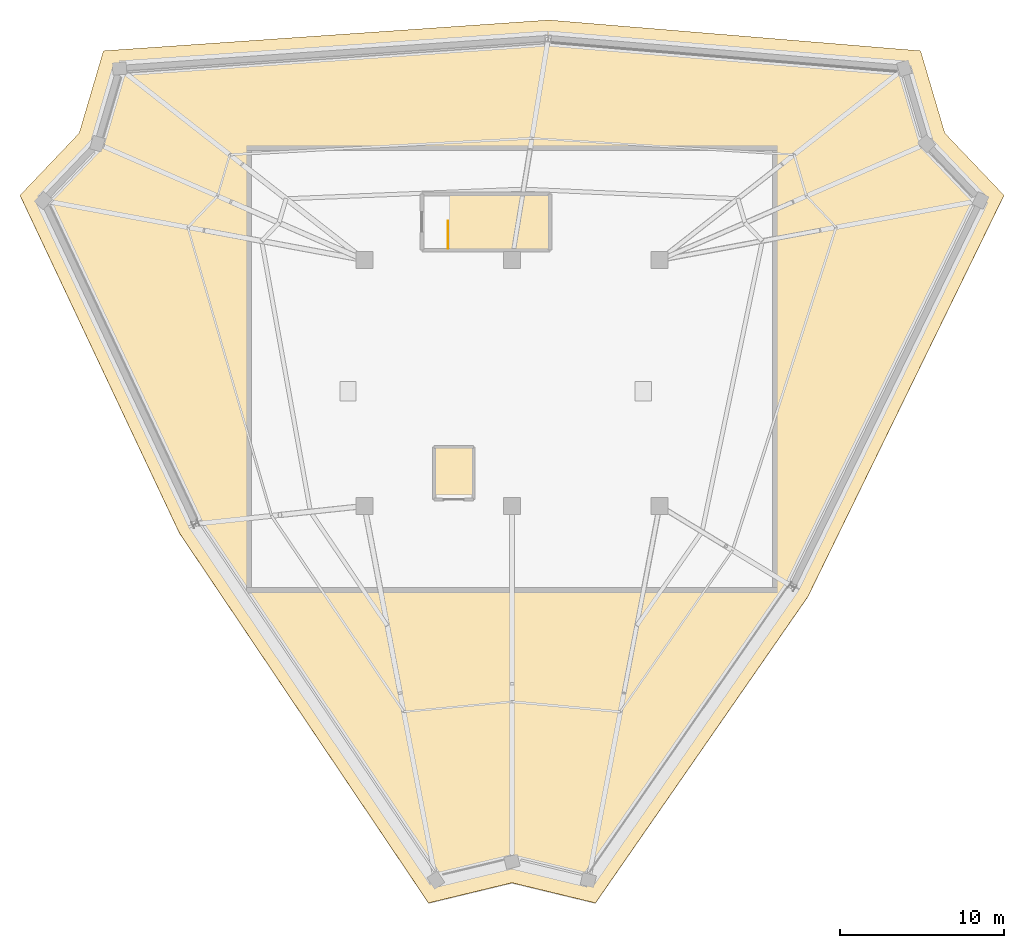
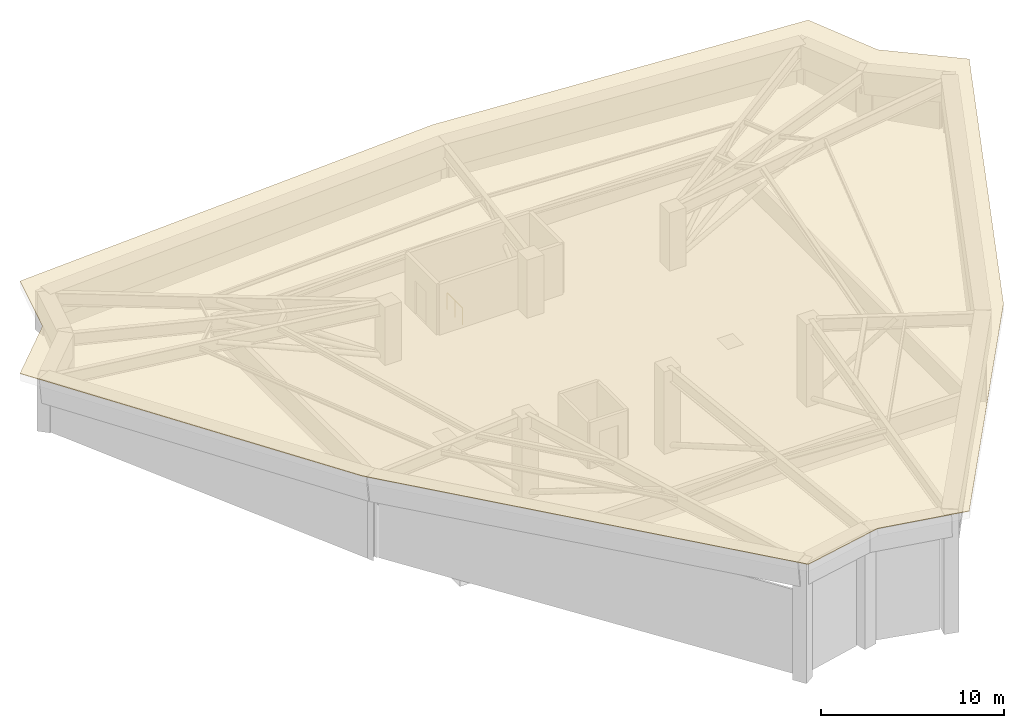
# One storey, part 6 of 6: 1 covering, 1 railing.
"""IFC4 building model written with IfcOpenShell, lengths in metres."""

import ifcopenshell
import ifcopenshell.guid

model = None  # the IFC model being written
_history = None  # IfcOwnerHistory: only IFC2X3 demands one
_inside = {}  # id of a spatial element -> (the spatial element, [elements in it])
_under = {}  # id of a project, library or spatial element -> (it, [spatial elements below it])
_declared = {}  # id of a project -> (the project, [libraries it declares])
_typed = {}  # id of a type object -> (the type object, [elements of that type])
_made_of = {}  # id of a material, layer set ... -> (it, [elements and type objects made of it])


def new_model(schema):
    """Start an empty IFC model of exactly this schema.

    Asked for "IFC4X3", IfcOpenShell would pick the latest addendum, in which some entities
    have other attributes; the version numbers below select the first issue.
    IFC2X3 requires an IfcOwnerHistory on every rooted entity: one is made here for all.
    """
    global model, _history
    if schema == "IFC4X3":
        model = ifcopenshell.file(schema_version=(4, 3, 0, 0))
    else:
        model = ifcopenshell.file(schema=schema)
    _inside.clear()
    _under.clear()
    _declared.clear()
    _typed.clear()
    _made_of.clear()
    _history = None
    if model.schema == "IFC2X3":
        org = make("IfcOrganization", Name="unknown")
        user = make(
            "IfcPersonAndOrganization",
            ThePerson=make("IfcPerson", FamilyName="unknown"),
            TheOrganization=org,
        )
        app = make(
            "IfcApplication",
            ApplicationDeveloper=org,
            Version="unknown",
            ApplicationFullName="unknown",
            ApplicationIdentifier="unknown",
        )
        _history = make(
            "IfcOwnerHistory",
            OwningUser=user,
            OwningApplication=app,
            ChangeAction="ADDED",
            CreationDate=0,
        )
    return model


def make(cls, **values):
    """One entity of the class cls with the attributes given. An attribute that is None is left unset."""
    return model.create_entity(
        cls, **{name: value for name, value in values.items() if value is not None}
    )


def rooted(cls, **values):
    """An entity with a GlobalId (a new one), such as an element, a storey or a relation."""
    return make(cls, GlobalId=ifcopenshell.guid.new(), OwnerHistory=_history, **values)


def si_unit(unit_type, name, prefix=None):
    """IfcSIUnit, for example si_unit("LENGTHUNIT", "METRE", prefix="MILLI")."""
    return make("IfcSIUnit", UnitType=unit_type, Prefix=prefix, Name=name)


def assignment(units):
    """IfcUnitAssignment: the units of a project."""
    return None if units is None else make("IfcUnitAssignment", Units=units)


def point(xyz):
    """IfcCartesianPoint."""
    return None if xyz is None else make("IfcCartesianPoint", Coordinates=xyz)


def direction(xyz):
    """IfcDirection."""
    return None if xyz is None else make("IfcDirection", DirectionRatios=xyz)


def frame(location, z_axis=None, x_axis=None):
    """IfcAxis2Placement3D, a coordinate frame: its origin and axes. An axis left out is left unset."""
    return make(
        "IfcAxis2Placement3D",
        Location=point(location),
        Axis=direction(z_axis),
        RefDirection=direction(x_axis),
    )


def frame_2d(location, x_axis=None):
    """IfcAxis2Placement2D, a coordinate frame in the plane: its origin and x axis."""
    return make(
        "IfcAxis2Placement2D", Location=point(location), RefDirection=direction(x_axis)
    )


def origin():
    """The frame at (0, 0, 0) with its axes left unset."""
    return frame((0.0, 0.0, 0.0))


def origin_2d():
    """The frame at (0, 0) in the plane with its x axis left unset."""
    return frame_2d((0.0, 0.0))


def place(relative_to, where):
    """IfcLocalPlacement: puts the frame where relative to a parent placement (None: the world)."""
    return make(
        "IfcLocalPlacement", PlacementRelTo=relative_to, RelativePlacement=where
    )


def context(
    kind, dimensions, precision=None, world=None, true_north=None, identifier=None
):
    """IfcGeometricRepresentationContext, for example the 3D "Model" context."""
    return make(
        "IfcGeometricRepresentationContext",
        ContextIdentifier=identifier,
        ContextType=kind,
        CoordinateSpaceDimension=dimensions,
        Precision=precision,
        WorldCoordinateSystem=world,
        TrueNorth=true_north,
    )


def subcontext(parent, identifier, kind, view, scale=None):
    """IfcGeometricRepresentationSubContext, for example "Body" below "Model"."""
    return make(
        "IfcGeometricRepresentationSubContext",
        ContextIdentifier=identifier,
        ContextType=kind,
        ParentContext=parent,
        TargetScale=scale,
        TargetView=view,
    )


def project(units=None, contexts=None):
    """IfcProject with its units and contexts."""
    return rooted(
        "IfcProject",
        Name="project",
        RepresentationContexts=contexts,
        UnitsInContext=assignment(units),
    )


def spatial(cls, under=None, at=None, **own):
    """A site, building, storey or space (cls), placed at a placement, below another one or the project."""
    s = rooted(cls, ObjectPlacement=at, **own)
    if under is not None:
        _under.setdefault(under.id(), (under, []))[1].append(s)
    return s


def polyline(points):
    """IfcPolyline through the points."""
    return make("IfcPolyline", Points=[point(p) for p in points])


def profile(cls, at=None, kind="AREA", **sizes):
    """A parametric profile (cls). Its sizes go by their IFC names, for example OverallWidth=200.0."""
    return make(cls, ProfileType=kind, Position=at, **sizes)


def rectangle(**sizes):
    """IfcRectangleProfileDef."""
    return profile("IfcRectangleProfileDef", **sizes)


def outline(outer, holes=None, kind="AREA"):
    """IfcArbitraryClosedProfileDef: a profile drawn as a closed curve; with holes, ...WithVoids."""
    if holes is None:
        return make("IfcArbitraryClosedProfileDef", ProfileType=kind, OuterCurve=outer)
    return make(
        "IfcArbitraryProfileDefWithVoids",
        ProfileType=kind,
        OuterCurve=outer,
        InnerCurves=holes,
    )


def extrude(swept, where, along, depth):
    """IfcExtrudedAreaSolid: the profile swept, set in the frame where, extruded along a direction by depth."""
    return make(
        "IfcExtrudedAreaSolid",
        SweptArea=swept,
        Position=where,
        ExtrudedDirection=direction(along),
        Depth=depth,
    )


def shape(context_of_items, identifier, shape_type, items):
    """IfcShapeRepresentation: the items that make up one representation, for example the "Body"."""
    return make(
        "IfcShapeRepresentation",
        ContextOfItems=context_of_items,
        RepresentationIdentifier=identifier,
        RepresentationType=shape_type,
        Items=items,
    )


def material(Name=None, Category=None):
    """IfcMaterial."""
    return make("IfcMaterial", Name=Name, Category=Category)


def layer(
    of_material, thickness, ventilated=None, Name=None, Category=None, Priority=None
):
    """IfcMaterialLayer: one layer of a wall or slab, of a material (None: an air gap)."""
    return make(
        "IfcMaterialLayer",
        Material=of_material,
        LayerThickness=thickness,
        IsVentilated=ventilated,
        Name=Name,
        Category=Category,
        Priority=Priority,
    )


def layer_set(layers, Name=None):
    """IfcMaterialLayerSet."""
    return make("IfcMaterialLayerSet", MaterialLayers=layers, LayerSetName=Name)


def made_of(thing, what):
    """Note that an element or type object is made of a material, layer set ...; save() writes the relation."""
    if what is not None:
        _made_of.setdefault(what.id(), (what, []))[1].append(thing)
    return thing


def type_object(cls, material=None, **own):
    """A type object (cls), such as IfcWallType, which elements share."""
    return made_of(rooted(cls, **own), material)


def element(
    cls,
    number,
    at=None,
    inside=None,
    cuts=None,
    type_object=None,
    material=None,
    context=None,
    identifier="Body",
    shape_type=None,
    held_by="IfcProductDefinitionShape",
    body=None,
    shapes=None,
    **own,
):
    """One element of the class cls, such as IfcWall. Its Tag is "e" and its number.

    at: its placement. inside: the storey or other place that contains it. cuts: it is an
    opening in that element (IfcRelVoidsElement). A single representation is given by context,
    identifier, shape_type and body (its items); several are given by shapes. held_by: the class
    of the entity that holds the representations. save() writes the other relations.
    """
    e = rooted(cls, Tag="e%d" % number, ObjectPlacement=at, **own)
    if body is not None:
        shapes = [shape(context, identifier, shape_type, body)]
    if shapes is not None:
        e.Representation = make(held_by, Representations=shapes)
    if inside is not None:
        _inside.setdefault(inside.id(), (inside, []))[1].append(e)
    if cuts is not None:
        rooted(
            "IfcRelVoidsElement", RelatingBuildingElement=cuts, RelatedOpeningElement=e
        )
    if type_object is not None:
        _typed.setdefault(type_object.id(), (type_object, []))[1].append(e)
    return made_of(e, material)


def aggregate(whole, parts):
    """IfcRelAggregates: a whole, such as a stair, and the parts it consists of."""
    return rooted("IfcRelAggregates", RelatingObject=whole, RelatedObjects=parts)


def save(model, path):
    """Write the relations noted so far, then the file.

    IfcRelAggregates (storeys below a building ...), IfcRelContainedInSpatialStructure (elements
    in a storey), IfcRelDefinesByType, IfcRelAssociatesMaterial and IfcRelDeclares: one each for
    every whole, place, type object, material and project.
    """
    for whole, parts in _under.values():
        aggregate(whole, parts)
    for where, things in _inside.values():
        rooted(
            "IfcRelContainedInSpatialStructure",
            RelatedElements=things,
            RelatingStructure=where,
        )
    for kind, things in _typed.values():
        rooted("IfcRelDefinesByType", RelatedObjects=things, RelatingType=kind)
    for what, things in _made_of.values():
        rooted("IfcRelAssociatesMaterial", RelatedObjects=things, RelatingMaterial=what)
    for by, libraries in _declared.values():
        rooted("IfcRelDeclares", RelatingContext=by, RelatedDefinitions=libraries)
    model.write(path)


model = new_model("IFC4")

# Units and contexts
model_context = context("Model", 3, precision=1e-05, world=origin(), true_north=direction((0.0, 1.0)))
body_context = subcontext(model_context, "Body", "Model", "MODEL_VIEW")
ifc_project = project(units=[si_unit("LENGTHUNIT", "METRE"), si_unit("AREAUNIT", "SQUARE_METRE"), si_unit("VOLUMEUNIT", "CUBIC_METRE"), si_unit("PLANEANGLEUNIT", "RADIAN"), si_unit("MASSUNIT", "GRAM", prefix="KILO")], contexts=[model_context])

# Site, building, storey
site_placement = place(None, origin())
site = spatial("IfcSite", under=ifc_project, at=site_placement, CompositionType="ELEMENT")
building_placement = place(site_placement, origin())
building = spatial("IfcBuilding", under=site, at=building_placement, Name="Liaohun Quay Tower", CompositionType="ELEMENT")
storey_placement = place(building_placement, frame((0.0, 0.0, 371.39990234375)))
storey = spatial("IfcBuildingStorey", under=building, at=storey_placement, Name="L95", CompositionType="ELEMENT", Elevation=371.39990234375)

# Covering
ifc_material_1 = material(Name="SBS waterproof membrane and extruded polystyrene insulation")
ifc_layer = layer(ifc_material_1, 0.030029296875, Name="SBS waterproof membrane and extruded polystyrene insulation")
ifc_layer_set = layer_set([ifc_layer], Name="SBS waterproof membrane and extruded polystyrene insulation")
covering_type = type_object("IfcCoveringType", Name="COV-ROOF-MEM", PredefinedType="ROOFING", material=ifc_layer_set)
covering_placement = place(storey_placement, frame((54.910888671875, 22.287109375, 8.627685546875), z_axis=(1.597037e-06, 0.10799846441, 0.994151060796), x_axis=(0.971740077316, 0.234672600912, -0.025494950861)))
element("IfcCovering", 1, at=covering_placement, inside=storey, type_object=covering_type, Name="L95 Sloped Canopy SBS Waterproofing Membrane", PredefinedType="ROOFING", context=body_context, shape_type="SweptSolid", body=[
    extrude(outline(polyline([(0.0, 0.0), (5.237111699892734, 1.9081958235744878e-17), (9.890586870921691, -2.4026043762317766), (26.929923953116052, 12.8142319586878), (44.35471955913766, 33.90382448454093), (41.74819500881201, 38.46324346059381), (41.502469488121115, 43.721371370622066), (19.912506525880875, 50.911140526132485), (-6.92890413091073, 55.48623747236013), (-9.559491280477802, 50.92681849630726), (-13.967240930815871, 48.07129496251077), (-9.415839809611862, 25.664778056611706), (0.0, 0.0)])), origin(), (0.0, 0.0, -1.0), 0.030029296875),
])

# Railing
ifc_material_2 = material(Name="Painted tubular steel", Category="steel")
railing_type = type_object("IfcRailingType", Name="RLG-GUARD-STR", PredefinedType="GUARDRAIL", material=ifc_material_2)
railing_placement = place(storey_placement, frame((56.10009765625, 62.199951171875, 0.0)))
element("IfcRailing", 2, at=railing_placement, inside=storey, type_object=railing_type, Name="L95 ST-3 top well guard 1", PredefinedType="GUARDRAIL", context=body_context, shape_type="SweptSolid", body=[
    extrude(rectangle(XDim=0.048095703125, YDim=0.048095703125, at=origin_2d()), frame((0.0, 0.0, 1.1259765625), z_axis=(0.0, 1.0, 0.0), x_axis=(-1.0, 0.0, 0.0)), (0.0, 0.0, 1.0), 1.68994140625),
    extrude(rectangle(XDim=0.0419921875, YDim=0.0419921875, at=origin_2d()), origin(), (0.0, 0.0, 1.0), 1.101806640625),
    extrude(rectangle(XDim=0.0419921875, YDim=0.0419921875, at=origin_2d()), frame((0.0, 0.844970703125, 0.0)), (0.0, 0.0, 1.0), 1.101806640625),
    extrude(rectangle(XDim=0.0419921875, YDim=0.0419921875, at=origin_2d()), frame((0.0, 1.68994140625, 0.0)), (0.0, 0.0, 1.0), 1.101806640625),
])

save(model, "model.ifc")
